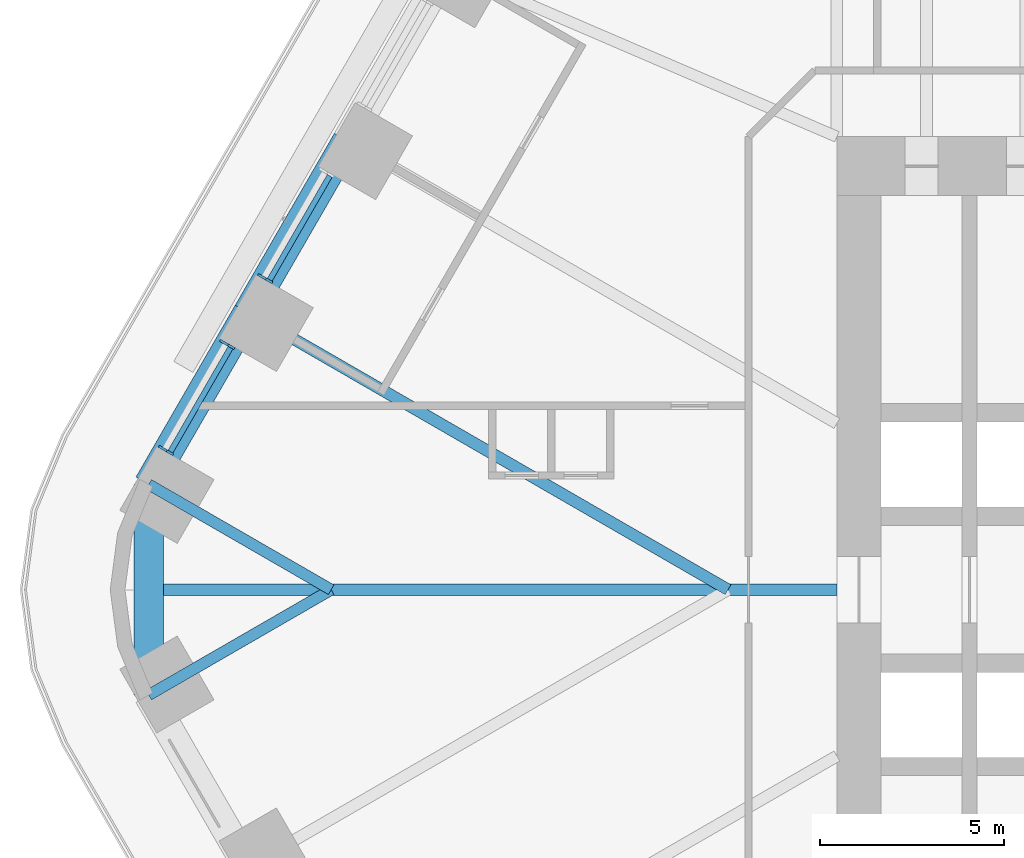
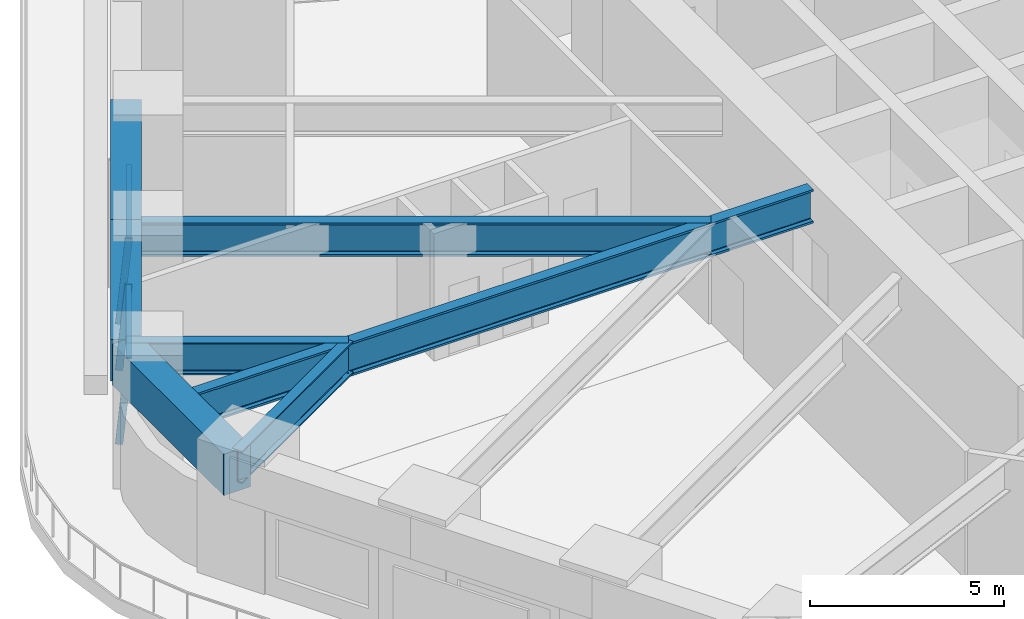
# One storey, part 6 of 23: 7 beams, 5 members, 2 elements without a shape of their own.
"""IFC4 building model written with IfcOpenShell, lengths in metres."""

from ifc_helpers import new_model, si_unit, direction, frame, origin, origin_2d, place, context, subcontext, project, spatial, rectangle, i_section, extrude, material, material_profile, profile_set, type_object, element, aggregate, save


model = new_model("IFC4")

# Units and contexts
model_context = context("Model", 3, precision=1e-05, world=origin(), true_north=direction((0.0, 1.0)))
body_context = subcontext(model_context, "Body", "Model", "MODEL_VIEW")
ifc_project = project(units=[si_unit("LENGTHUNIT", "METRE"), si_unit("AREAUNIT", "SQUARE_METRE"), si_unit("VOLUMEUNIT", "CUBIC_METRE"), si_unit("PLANEANGLEUNIT", "RADIAN"), si_unit("MASSUNIT", "GRAM", prefix="KILO")], contexts=[model_context])

# Site, building, storey
site_placement = place(None, origin())
site = spatial("IfcSite", under=ifc_project, at=site_placement, CompositionType="ELEMENT")
building_placement = place(site_placement, origin())
building = spatial("IfcBuilding", under=site, at=building_placement, Name="Tarfa Lantern Tower", CompositionType="ELEMENT")
storey_placement = place(building_placement, frame((0.0, 0.0, 48.699951171875)))
storey = spatial("IfcBuildingStorey", under=building, at=storey_placement, Name="L10", CompositionType="ELEMENT", Elevation=48.699951171875)

# Curtain wall, member
ifc_material_1 = material(Name="Aluminium framed curtain wall", Category="aluminium")
curtain_wall_type = type_object("IfcCurtainWallType", Name="CW1 CANTED GLAZING LOW ZONE 2700", PredefinedType="USERDEFINED", material=ifc_material_1)
curtain_wall_1_placement = place(storey_placement, origin())
curtain_wall_1 = element("IfcCurtainWall", 1, at=curtain_wall_1_placement, inside=storey, type_object=curtain_wall_type, Name="CW1 NW L10", ObjectType="CURTAIN WALL", PredefinedType="USERDEFINED")
ifc_material_2 = material(Name="Aluminium mullion", Category="aluminium")
ifc_material_profile_1 = material_profile(ifc_material_2, rectangle(XDim=0.06494140625, YDim=0.199951171875, at=origin_2d()), Name="AL MULLION 65x200")
ifc_profile_set_1 = profile_set([ifc_material_profile_1], Name="Aluminium mullion")
member_type_1 = type_object("IfcMemberType", Name="CWM1 MULLION 65x200", PredefinedType="MULLION", material=ifc_profile_set_1)
member_1_placement = place(storey_placement, frame((-34.230712890625, 8.5107421875, 0.0), z_axis=(0.07986442134, -0.046099868913, 0.99573916077), x_axis=(0.499919672301, 0.866071776036, 0.0)))
member_1 = element("IfcMember", 2, at=member_1_placement, type_object=member_type_1, Name="CW1 mullion 2", PredefinedType="MULLION", context=body_context, shape_type="SweptSolid", body=[
    extrude(rectangle(XDim=0.06494140625, YDim=0.199951171875, at=origin_2d()), origin(), (0.0, 0.0, 1.0), 2.71142578125),
])

# Curtain wall, members
curtain_wall_2_placement = place(storey_placement, origin())
curtain_wall_2 = element("IfcCurtainWall", 3, at=curtain_wall_2_placement, inside=storey, type_object=curtain_wall_type, Name="CW1 NW L10", ObjectType="CURTAIN WALL", PredefinedType="USERDEFINED")
member_2_placement = place(storey_placement, frame((-35.26318359375, 6.722412109375, 0.0), z_axis=(0.07986442134, -0.046099868913, 0.99573916077), x_axis=(0.499919672301, 0.866071776036, 0.0)))
member_2 = element("IfcMember", 4, at=member_2_placement, type_object=member_type_1, Name="CW1 mullion 1", PredefinedType="MULLION", context=body_context, shape_type="SweptSolid", body=[
    extrude(rectangle(XDim=0.06494140625, YDim=0.199951171875, at=origin_2d()), origin(), (0.0, 0.0, 1.0), 2.71142578125),
])
member_3_placement = place(storey_placement, frame((-36.9248046875, 3.84423828125, 0.0), z_axis=(0.079774955866, -0.04610020023, 0.995746317068), x_axis=(0.500342721131, 0.865827443207, 0.0)))
member_3 = element("IfcMember", 5, at=member_3_placement, type_object=member_type_1, Name="CW1 mullion 2", PredefinedType="MULLION", context=body_context, shape_type="SweptSolid", body=[
    extrude(rectangle(XDim=0.06494140625, YDim=0.199951171875, at=origin_2d()), origin(), (0.0, 0.0, 1.0), 2.71142578125),
])

# Member
ifc_material_3 = material(Name="Aluminium transom", Category="aluminium")
ifc_material_profile_2 = material_profile(ifc_material_3, rectangle(XDim=0.14990234375, YDim=0.06494140625, at=origin_2d()), Name="AL TRANSOM 150x65")
ifc_profile_set_2 = profile_set([ifc_material_profile_2], Name="Aluminium transom")
member_type_2 = type_object("IfcMemberType", Name="CWT1 TRANSOM 150x65", PredefinedType="USERDEFINED", material=ifc_profile_set_2)
member_4_placement = place(storey_placement, frame((-32.37109375, 11.237548828125, 2.66748046875), z_axis=(-0.500022939057, -0.866012159509, 0.0), x_axis=(0.866012159509, -0.500022939057, 0.0)))
member_4 = element("IfcMember", 6, at=member_4_placement, type_object=member_type_2, Name="CW1 transom 1.2", ObjectType="TRANSOM", PredefinedType="USERDEFINED", context=body_context, shape_type="SweptSolid", body=[
    extrude(rectangle(XDim=0.14990234375, YDim=0.06494140625, at=origin_2d()), origin(), (0.0, 0.0, 1.0), 3.258544921875),
])

aggregate(curtain_wall_1, [member_1, member_4])

member_5_placement = place(storey_placement, frame((-35.0654296875, 6.57080078125, 2.66748046875), z_axis=(-0.500022939057, -0.866012159509, 0.0), x_axis=(0.866012159509, -0.500022939057, 0.0)))
member_5 = element("IfcMember", 7, at=member_5_placement, type_object=member_type_2, Name="CW1 transom 1.2", ObjectType="TRANSOM", PredefinedType="USERDEFINED", context=body_context, shape_type="SweptSolid", body=[
    extrude(rectangle(XDim=0.14990234375, YDim=0.06494140625, at=origin_2d()), origin(), (0.0, 0.0, 1.0), 3.258544921875),
])

aggregate(curtain_wall_2, [member_2, member_3, member_5])

# Beams
ifc_material_4 = material(Name="Concrete C80/95", Category="concrete")
ifc_material_profile_3 = material_profile(ifc_material_4, rectangle(XDim=0.800048828125, YDim=1.300048828125, at=origin_2d()), Name="RC 800x1300")
ifc_profile_set_3 = profile_set([ifc_material_profile_3], Name="Concrete C80/95")
beam_type_1 = type_object("IfcBeamType", Name="EB1 RC 800x1300", PredefinedType="SPANDREL", material=ifc_profile_set_3)
beam_1_placement = place(storey_placement, frame((-31.896728515625, 12.193359375, 3.35009765625), z_axis=(-0.499998287579, -0.866026392449, 0.0), x_axis=(0.866026392449, -0.499998287579, 0.0)))
element("IfcBeam", 8, at=beam_1_placement, inside=storey, type_object=beam_type_1, Name="Edge beam NW4", PredefinedType="SPANDREL", context=body_context, shape_type="SweptSolid", body=[
    extrude(rectangle(XDim=0.800048828125, YDim=1.300048828125, at=origin_2d()), origin(), (0.0, 0.0, 1.0), 5.388671875),
])
beam_2_placement = place(storey_placement, frame((-34.591064453125, 7.526611328125, 3.35009765625), z_axis=(-0.500017906299, -0.866015065331, 0.0), x_axis=(0.866015065331, -0.500017906299, 0.0)))
element("IfcBeam", 9, at=beam_2_placement, inside=storey, type_object=beam_type_1, Name="Edge beam NW5", PredefinedType="SPANDREL", context=body_context, shape_type="SweptSolid", body=[
    extrude(rectangle(XDim=0.800048828125, YDim=1.300048828125, at=origin_2d()), origin(), (0.0, 0.0, 1.0), 5.388427734375),
])
beam_3_placement = place(storey_placement, frame((-37.285400390625, 2.860107421875, 3.35009765625), z_axis=(0.0, -1.0, 0.0), x_axis=(1.0, 0.0, 0.0)))
element("IfcBeam", 10, at=beam_3_placement, inside=storey, type_object=beam_type_1, Name="Edge beam NW6", PredefinedType="SPANDREL", context=body_context, shape_type="SweptSolid", body=[
    extrude(rectangle(XDim=0.800048828125, YDim=1.300048828125, at=origin_2d()), origin(), (0.0, 0.0, 1.0), 5.72021484375),
])
ifc_material_5 = material(Name="Steel S460M", Category="steel")
ifc_material_profile_4 = material_profile(ifc_material_5, i_section(OverallWidth=0.302001953125, OverallDepth=1.008056640625, WebThickness=0.02099609375, FlangeThickness=0.0400390625, FilletRadius=0.030029296875, at=origin_2d()), Name="UB1016x305x349")
ifc_profile_set_4 = profile_set([ifc_material_profile_4], Name="Steel S460M")
beam_type_2 = type_object("IfcBeamType", Name="UB1016x305x349", PredefinedType="BEAM", material=ifc_profile_set_4)
for number, where, z_axis, x_axis, name in (
    (11, (-37.285400390625, 2.860107421875, 3.49609375), (0.866025668288, -0.499999541866, 0.0), (0.499999541866, 0.866025668288, 0.0), "Floor beam NW6"),
    (12, (-37.285400390625, -2.860107421875, 3.49609375), (0.866025668288, 0.499999541866, 0.0), (-0.499999541866, 0.866025668288, 0.0), "Floor beam SW0"),
):
    element("IfcBeam", number, at=place(storey_placement, frame(where, z_axis=z_axis, x_axis=x_axis)), inside=storey, type_object=beam_type_2, Name=name, PredefinedType="BEAM", context=body_context, shape_type="SweptSolid", body=[
        extrude(i_section(OverallWidth=0.302001953125, OverallDepth=1.008056640625, WebThickness=0.02099609375, FlangeThickness=0.0400390625, FilletRadius=0.030029296875, at=origin_2d()), origin(), (0.0, 0.0, 1.0), 5.72021484375),
    ])
ifc_material_profile_5 = material_profile(ifc_material_5, i_section(OverallWidth=0.314208984375, OverallDepth=1.055908203125, WebThickness=0.035888671875, FlangeThickness=0.06396484375, FilletRadius=0.030029296875, at=origin_2d()), Name="UB1016x305x584")
ifc_profile_set_5 = profile_set([ifc_material_profile_5], Name="Steel S460M")
beam_type_3 = type_object("IfcBeamType", Name="UB1016x305x584", PredefinedType="BEAM", material=ifc_profile_set_5)
beam_4_placement = place(storey_placement, frame((-18.60009765625, 0.0, 3.47216796875), z_axis=(-1.0, 0.0, 0.0), x_axis=(0.0, -1.0, 0.0)))
element("IfcBeam", 13, at=beam_4_placement, inside=storey, type_object=beam_type_3, Name="Hip girder W", PredefinedType="BEAM", context=body_context, shape_type="SweptSolid", body=[
    extrude(i_section(OverallWidth=0.314208984375, OverallDepth=1.055908203125, WebThickness=0.035888671875, FlangeThickness=0.06396484375, FilletRadius=0.030029296875, at=origin_2d()), origin(), (0.0, 0.0, 1.0), 18.685302734375),
])
beam_5_placement = place(storey_placement, frame((-34.591064453125, 7.526611328125, 3.47216796875), z_axis=(0.86602785945, -0.499995746638, 0.0), x_axis=(0.499995746638, 0.86602785945, 0.0)))
element("IfcBeam", 14, at=beam_5_placement, inside=storey, type_object=beam_type_3, Name="Floor beam NW5", PredefinedType="BEAM", context=body_context, shape_type="SweptSolid", body=[
    extrude(i_section(OverallWidth=0.314208984375, OverallDepth=1.055908203125, WebThickness=0.035888671875, FlangeThickness=0.06396484375, FilletRadius=0.030029296875, at=origin_2d()), origin(), (0.0, 0.0, 1.0), 15.053466796875),
])

save(model, "model.ifc")
